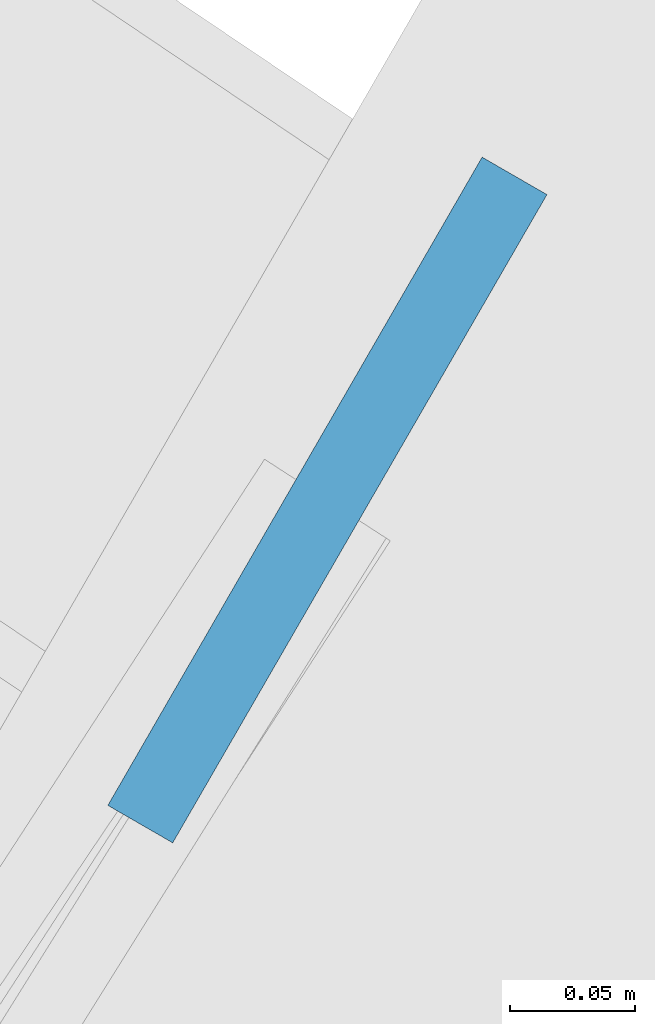
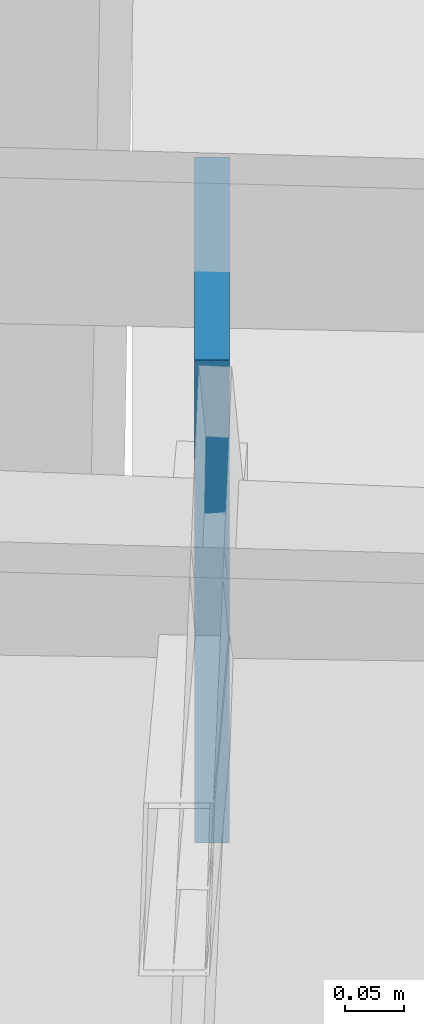
# One storey, part 35 of 37: 1 discrete accessory.
"""IFC4 building model written with IfcOpenShell, lengths in metres."""

from ifc_helpers import new_model, si_unit, direction, frame, origin, origin_2d, place, context, subcontext, project, spatial, rectangle, extrude, material, layer, layer_set, type_object, element, save


model = new_model("IFC4")

# Units and contexts
model_context = context("Model", 3, precision=1e-05, world=origin(), true_north=direction((0.0, 1.0)))
body_context = subcontext(model_context, "Body", "Model", "MODEL_VIEW")
ifc_project = project(units=[si_unit("LENGTHUNIT", "METRE"), si_unit("AREAUNIT", "SQUARE_METRE"), si_unit("VOLUMEUNIT", "CUBIC_METRE"), si_unit("PLANEANGLEUNIT", "RADIAN"), si_unit("MASSUNIT", "GRAM", prefix="KILO")], contexts=[model_context])

# Site, building, storey
site_placement = place(None, origin())
site = spatial("IfcSite", under=ifc_project, at=site_placement, CompositionType="ELEMENT")
building_placement = place(site_placement, origin())
building = spatial("IfcBuilding", under=site, at=building_placement, Name="Ostrander Bayou Hotel Tower", CompositionType="ELEMENT")
storey_placement = place(building_placement, frame((0.0, 0.0, 198.25)))
storey = spatial("IfcBuildingStorey", under=building, at=storey_placement, Name="L49", CompositionType="ELEMENT", Elevation=198.25)

# Discrete accessory
ifc_material = material(Name="Steel ASTM A572 Gr 50", Category="steel")
ifc_layer = layer(ifc_material, 0.030029296875)
ifc_layer_set = layer_set([ifc_layer], Name="GP1 gusset plate 30 mm")
discrete_accessory_type = type_object("IfcDiscreteAccessoryType", Name="GP1 gusset plate 30 mm", PredefinedType="BRACKET", material=ifc_layer_set)
discrete_accessory_placement = place(storey_placement, frame((-17.85400390625, 4.64208984375, 4.77490234375), z_axis=(0.0, 0.0, 1.0), x_axis=(-0.5, -0.866025403784, 0.0)))
element("IfcDiscreteAccessory", 1, at=discrete_accessory_placement, inside=storey, type_object=discrete_accessory_type, Name="GP1 gusset plate lat 309", PredefinedType="BRACKET", context=body_context, shape_type="SweptSolid", body=[
    extrude(rectangle(XDim=0.300048828125, YDim=0.030029296875, at=origin_2d()), origin(), (0.0, 0.0, 1.0), 0.5),
])

save(model, "model.ifc")
